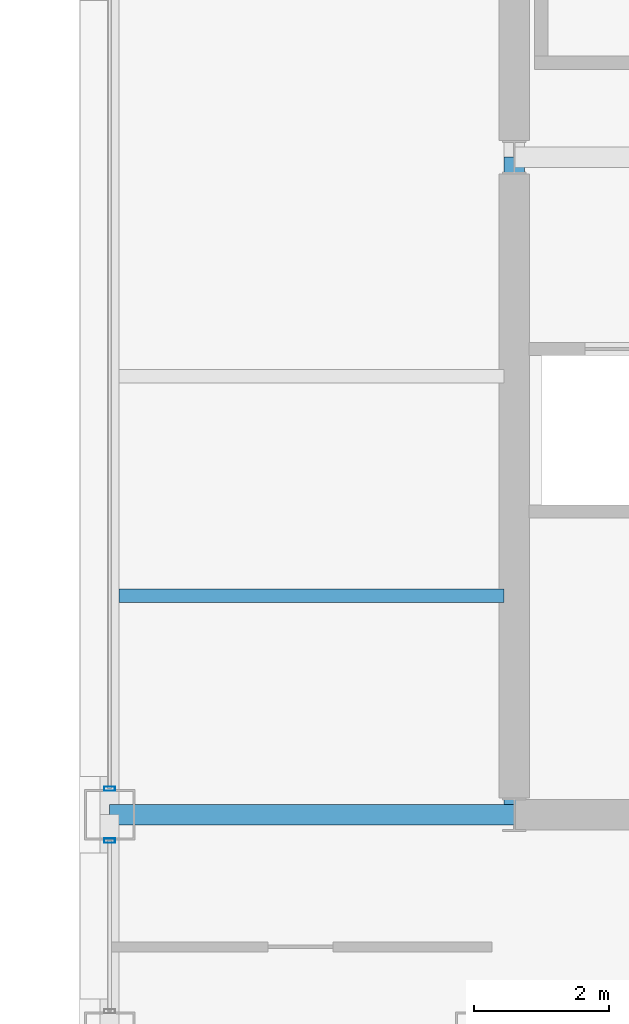
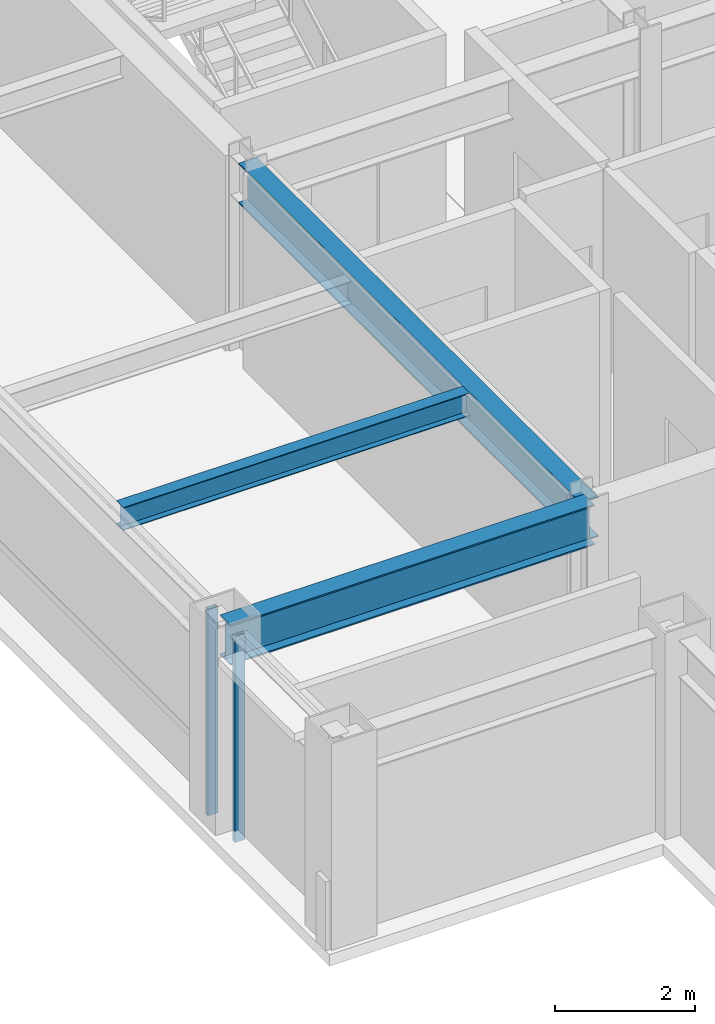
# One storey, part 4 of 27: 3 beams, 2 members, 2 elements without a shape of their own.
"""IFC4 building model written with IfcOpenShell, lengths in metres."""

from ifc_helpers import new_model, si_unit, direction, frame, origin, origin_2d, place, context, subcontext, project, spatial, hollow_rectangle, i_section, extrude, material, layer, layer_set, material_profile, profile_set, type_object, element, aggregate, save


model = new_model("IFC4")

# Units and contexts
model_context = context("Model", 3, precision=1e-05, world=origin(), true_north=direction((0.0, 1.0)))
body_context = subcontext(model_context, "Body", "Model", "MODEL_VIEW")
ifc_project = project(units=[si_unit("LENGTHUNIT", "METRE"), si_unit("AREAUNIT", "SQUARE_METRE"), si_unit("VOLUMEUNIT", "CUBIC_METRE"), si_unit("PLANEANGLEUNIT", "RADIAN"), si_unit("MASSUNIT", "GRAM", prefix="KILO")], contexts=[model_context])

# Site, building, storey
site_placement = place(None, origin())
site = spatial("IfcSite", under=ifc_project, at=site_placement, CompositionType="ELEMENT")
building_placement = place(site_placement, origin())
building = spatial("IfcBuilding", under=site, at=building_placement, Name="Brelmoor Portico Tower", CompositionType="ELEMENT")
storey_placement = place(building_placement, frame((0.0, 0.0, 158.699951171875)))
storey = spatial("IfcBuildingStorey", under=building, at=storey_placement, Name="L41", CompositionType="ELEMENT", Elevation=158.699951171875)

# Beams
ifc_material_1 = material(Name="Steel Q355B", Category="steel")
ifc_material_profile_1 = material_profile(ifc_material_1, i_section(OverallWidth=0.199951171875, OverallDepth=0.39990234375, WebThickness=0.008056640625, FlangeThickness=0.012939453125, at=origin_2d()), Name="HN 400x200x8x13")
ifc_profile_set_1 = profile_set([ifc_material_profile_1], Name="Steel Q355B")
beam_type_1 = type_object("IfcBeamType", Name="BM-JS-400", PredefinedType="JOIST", material=ifc_profile_set_1)
beam_1_placement = place(storey_placement, frame((-20.409912109375, -6.5, 3.199951171875), z_axis=(1.0, 0.0, 0.0), x_axis=(0.0, 1.0, 0.0)))
element("IfcBeam", 1, at=beam_1_placement, inside=storey, type_object=beam_type_1, Name="L41 Secondary Wing Joist JS-W05", PredefinedType="JOIST", context=body_context, shape_type="SweptSolid", body=[
    extrude(i_section(OverallWidth=0.199951171875, OverallDepth=0.39990234375, WebThickness=0.008056640625, FlangeThickness=0.012939453125, at=origin_2d()), origin(), (0.0, 0.0, 1.0), 5.7099609375),
])
ifc_material_profile_2 = material_profile(ifc_material_1, i_section(OverallWidth=0.300048828125, OverallDepth=0.699951171875, WebThickness=0.012939453125, FlangeThickness=0.02392578125, at=origin_2d()), Name="HN 700x300x13x24")
ifc_profile_set_2 = profile_set([ifc_material_profile_2], Name="Steel Q355B")
beam_type_2 = type_object("IfcBeamType", Name="BM-PG-700", PredefinedType="BEAM", material=ifc_profile_set_2)
beam_2_placement = place(storey_placement, frame((-14.550048828125, -9.75, 3.050048828125), z_axis=(0.0, 1.0, 0.0), x_axis=(-1.0, 0.0, 0.0)))
element("IfcBeam", 2, at=beam_2_placement, inside=storey, type_object=beam_type_2, Name="L41 Primary Floor Girder PG-01", PredefinedType="BEAM", context=body_context, shape_type="SweptSolid", body=[
    extrude(i_section(OverallWidth=0.300048828125, OverallDepth=0.699951171875, WebThickness=0.012939453125, FlangeThickness=0.02392578125, at=origin_2d()), origin(), (0.0, 0.0, 1.0), 9.75),
])
beam_3_placement = place(storey_placement, frame((-20.550048828125, -9.75, 3.050048828125), z_axis=(1.0, 0.0, 0.0), x_axis=(0.0, 1.0, 0.0)))
element("IfcBeam", 3, at=beam_3_placement, inside=storey, type_object=beam_type_2, Name="L41 Primary Floor Girder PG-11", PredefinedType="BEAM", context=body_context, shape_type="SweptSolid", body=[
    extrude(i_section(OverallWidth=0.300048828125, OverallDepth=0.699951171875, WebThickness=0.012939453125, FlangeThickness=0.02392578125, at=origin_2d()), origin(), (0.0, 0.0, 1.0), 6.0),
])

# Curtain wall, member
ifc_material_2 = material(Name="Anodised Aluminium Alloy 6063-T6", Category="aluminium")
ifc_layer_1 = layer(ifc_material_2, 0.179931640625)
ifc_layer_set_1 = layer_set([ifc_layer_1], Name="Anodised Aluminium Alloy 6063-T6")
curtain_wall_type_1 = type_object("IfcCurtainWallType", Name="CW-TOWER-Z3-XB", PredefinedType="NOTDEFINED", material=ifc_layer_set_1)
curtain_wall_1_placement = place(storey_placement, origin())
curtain_wall_1 = element("IfcCurtainWall", 4, at=curtain_wall_1_placement, inside=storey, type_object=curtain_wall_type_1, Name="L41 Curtain Wall CW-L41-3L-1", PredefinedType="NOTDEFINED")
ifc_material_profile_3 = material_profile(ifc_material_2, hollow_rectangle(XDim=0.06494140625, YDim=0.1650390625, WallThickness=0.00390625, at=origin_2d()), Name="ALU MULLION 65x165")
ifc_profile_set_3 = profile_set([ifc_material_profile_3], Name="Anodised Aluminium Alloy 6063-T6")
member_type = type_object("IfcMemberType", Name="MB-CW-MULL-165", PredefinedType="MULLION", material=ifc_profile_set_3)
member_1_placement = place(storey_placement, frame((-20.550048828125, -10.135009765625, -0.199951171875), z_axis=(0.0, 0.0, 1.0), x_axis=(0.0, 1.0, 0.0)))
member_1 = element("IfcMember", 5, at=member_1_placement, type_object=member_type, Name="CW-L41-3L-1 Mullion 01", PredefinedType="MULLION", context=body_context, shape_type="SweptSolid", body=[
    extrude(hollow_rectangle(XDim=0.06494140625, YDim=0.1650390625, WallThickness=0.00390625, at=origin_2d()), origin(), (0.0, 0.0, 1.0), 3.60009765625),
])
aggregate(curtain_wall_1, [member_1])

ifc_layer_2 = layer(ifc_material_2, 0.179931640625)
ifc_layer_set_2 = layer_set([ifc_layer_2], Name="Anodised Aluminium Alloy 6063-T6")
curtain_wall_type_2 = type_object("IfcCurtainWallType", Name="CW-TOWER-Z3", PredefinedType="NOTDEFINED", material=ifc_layer_set_2)
curtain_wall_2_placement = place(storey_placement, origin())
curtain_wall_2 = element("IfcCurtainWall", 6, at=curtain_wall_2_placement, inside=storey, type_object=curtain_wall_type_2, Name="L41 Curtain Wall CW-L41-3L-2", PredefinedType="NOTDEFINED")
member_2_placement = place(storey_placement, frame((-20.550048828125, -9.364990234375, -0.199951171875), z_axis=(0.0, 0.0, 1.0), x_axis=(0.0, 1.0, 0.0)))
member_2 = element("IfcMember", 7, at=member_2_placement, type_object=member_type, Name="CW-L41-3L-2 Mullion 00", PredefinedType="MULLION", context=body_context, shape_type="SweptSolid", body=[
    extrude(hollow_rectangle(XDim=0.06494140625, YDim=0.1650390625, WallThickness=0.00390625, at=origin_2d()), origin(), (0.0, 0.0, 1.0), 3.60009765625),
])
aggregate(curtain_wall_2, [member_2])

save(model, "model.ifc")
